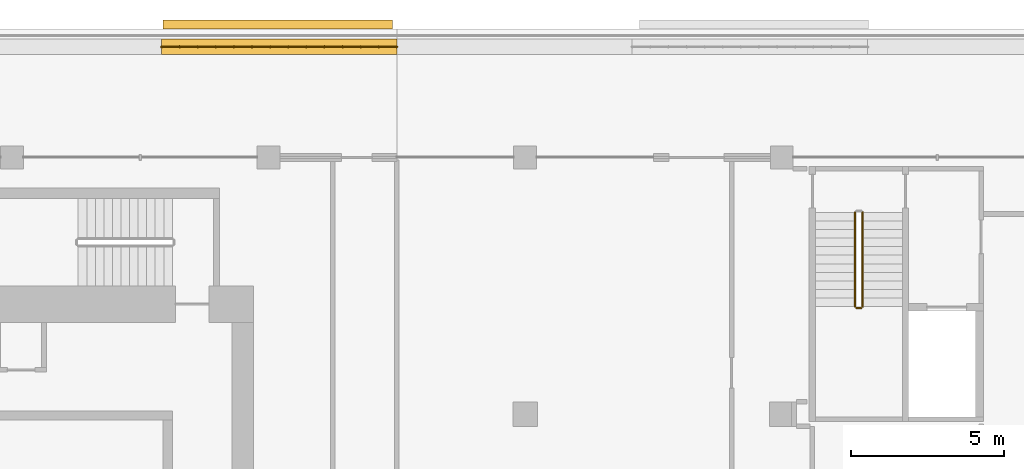
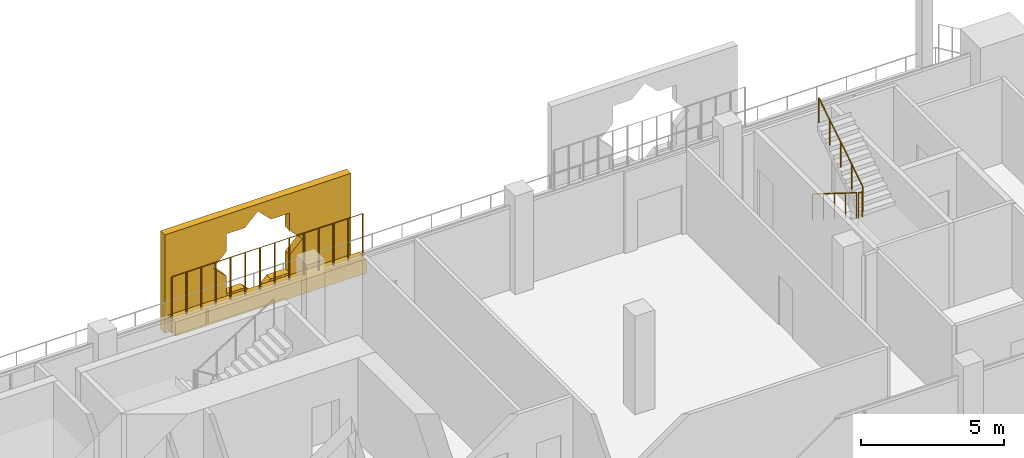
# One storey, part 20 of 22: 4 railings, 2 coverings.
"""IFC4 building model written with IfcOpenShell, lengths in metres."""

from ifc_helpers import new_model, si_unit, direction, frame, origin, origin_2d, place, context, subcontext, project, spatial, polyline, rectangle, circle, outline, extrude, material, material_profile, profile_set, type_object, element, save


model = new_model("IFC4")

# Units and contexts
model_context = context("Model", 3, precision=1e-05, world=origin(), true_north=direction((0.0, 1.0)))
body_context = subcontext(model_context, "Body", "Model", "MODEL_VIEW")
ifc_project = project(units=[si_unit("LENGTHUNIT", "METRE"), si_unit("AREAUNIT", "SQUARE_METRE"), si_unit("VOLUMEUNIT", "CUBIC_METRE"), si_unit("PLANEANGLEUNIT", "RADIAN"), si_unit("MASSUNIT", "GRAM", prefix="KILO")], contexts=[model_context])

# Site, building, storey
site_placement = place(None, origin())
site = spatial("IfcSite", under=ifc_project, at=site_placement, CompositionType="ELEMENT")
building_placement = place(site_placement, origin())
building = spatial("IfcBuilding", under=site, at=building_placement, Name="Kawkab Arch Medical Tower", CompositionType="ELEMENT")
storey_placement = place(building_placement, frame((0.0, 0.0, 286.0)))
storey = spatial("IfcBuildingStorey", under=building, at=storey_placement, Name="L66", CompositionType="ELEMENT", Elevation=286.0)

# Coverings
ifc_material_1 = material(Name="Bronze anodised aluminium mashrabiya panel, eight-point star pattern", Category="aluminium")
ifc_material_profile_1 = material_profile(ifc_material_1, outline(polyline([(-3.75, -2.10009765625), (3.75, -2.10009765625), (3.75, 2.10009765625), (-3.75, 2.10009765625), (-3.75, -2.10009765625)]), holes=[polyline([(1.800048828125, 0.0), (1.272705078125, 0.527099609375), (1.272705078125, 1.272705078125), (0.527099609375, 1.272705078125), (0.0, 1.800048828125), (-0.527099609375, 1.272705078125), (-1.272705078125, 1.272705078125), (-1.272705078125, 0.527099609375), (-1.800048828125, 0.0), (-1.272705078125, -0.527099609375), (-1.272705078125, -1.272705078125), (-0.527099609375, -1.272705078125), (0.0, -1.800048828125), (0.527099609375, -1.272705078125), (1.272705078125, -1.272705078125), (1.272705078125, -0.527099609375), (1.800048828125, 0.0)])]), Name="Mashrabiya panel 7500x4200")
ifc_profile_set_1 = profile_set([ifc_material_profile_1], Name="Bronze anodised aluminium mashrabiya panel, eight-point star pattern")
covering_type_1 = type_object("IfcCoveringType", Name="Mashrabiya panel 7500 x 4200", PredefinedType="USERDEFINED", material=ifc_profile_set_1)
covering_1_placement = place(storey_placement, frame((25.500732421875, 4.199951171875, 1.699951171875), z_axis=(0.0, 1.0, 0.0), x_axis=(-1.0, 0.0, 0.0)))
element("IfcCovering", 1, at=covering_1_placement, inside=storey, type_object=covering_type_1, Name="Mashrabiya panel L66.LOG-01-02.4", ObjectType="SCREEN", PredefinedType="USERDEFINED", context=body_context, shape_type="SweptSolid", body=[
    extrude(outline(polyline([(-3.75, -2.10009765625), (3.75, -2.10009765625), (3.75, 2.10009765625), (-3.75, 2.10009765625), (-3.75, -2.10009765625)]), holes=[polyline([(1.800048828125, 0.0), (1.272705078125, 0.527099609375), (1.272705078125, 1.272705078125), (0.527099609375, 1.272705078125), (0.0, 1.800048828125), (-0.527099609375, 1.272705078125), (-1.272705078125, 1.272705078125), (-1.272705078125, 0.527099609375), (-1.800048828125, 0.0), (-1.272705078125, -0.527099609375), (-1.272705078125, -1.272705078125), (-0.527099609375, -1.272705078125), (0.0, -1.800048828125), (0.527099609375, -1.272705078125), (1.272705078125, -1.272705078125), (1.272705078125, -0.527099609375), (1.800048828125, 0.0)])]), origin(), (0.0, 0.0, 1.0), 0.300048828125),
])
ifc_material_2 = material(Name="Planting soil in a precast trough", Category="concrete")
ifc_material_profile_2 = material_profile(ifc_material_2, rectangle(XDim=0.5, YDim=0.60009765625, at=origin_2d()), Name="Trough 500x600")
ifc_profile_set_2 = profile_set([ifc_material_profile_2], Name="Planting soil in a precast trough")
covering_type_2 = type_object("IfcCoveringType", Name="Planter trough 500 x 600", PredefinedType="USERDEFINED", material=ifc_profile_set_2)
covering_2_placement = place(storey_placement, frame((21.695068359375, 3.6201171875, 0.300048828125), z_axis=(1.0, 0.0, 0.0), x_axis=(0.0, 1.0, 0.0)))
element("IfcCovering", 2, at=covering_2_placement, inside=storey, type_object=covering_type_2, Name="Planter L66.LOG-01-02.15", ObjectType="PLANTER", PredefinedType="USERDEFINED", context=body_context, shape_type="SweptSolid", body=[
    extrude(rectangle(XDim=0.5, YDim=0.60009765625, at=origin_2d()), origin(), (0.0, 0.0, 1.0), 7.704833984375),
])

# Railings
ifc_material_3 = material(Name="Bronze anodised aluminium trellis for climbing plants", Category="aluminium")
railing_type_1 = type_object("IfcRailingType", Name="Planting trellis 2400", PredefinedType="USERDEFINED", material=ifc_material_3)
railing_1_placement = place(storey_placement, frame((21.695068359375, 3.6201171875, 0.0)))
element("IfcRailing", 3, at=railing_1_placement, inside=storey, type_object=railing_type_1, Name="Planting trellis L66.LOG-01-02.15", ObjectType="TRELLIS", PredefinedType="USERDEFINED", context=body_context, shape_type="SweptSolid", body=[
    extrude(circle(Radius=0.01513671875, at=origin_2d()), frame((0.0, 0.0, 2.384765625), z_axis=(1.0, 0.0, 0.0), x_axis=(0.0, 1.0, 0.0)), (0.0, 0.0, 1.0), 7.704833984375),
    extrude(circle(Radius=0.030029296875, at=origin_2d()), origin(), (0.0, 0.0, 1.0), 2.369873046875),
    extrude(circle(Radius=0.030029296875, at=origin_2d()), frame((0.5927734375, 0.0, 0.0)), (0.0, 0.0, 1.0), 2.369873046875),
    extrude(circle(Radius=0.030029296875, at=origin_2d()), frame((1.185302734375, 0.0, 0.0)), (0.0, 0.0, 1.0), 2.369873046875),
    extrude(circle(Radius=0.030029296875, at=origin_2d()), frame((1.778076171875, 0.0, 0.0)), (0.0, 0.0, 1.0), 2.369873046875),
    extrude(circle(Radius=0.030029296875, at=origin_2d()), frame((2.37060546875, 0.0, 0.0)), (0.0, 0.0, 1.0), 2.369873046875),
    extrude(circle(Radius=0.030029296875, at=origin_2d()), frame((2.96337890625, 0.0, 0.0)), (0.0, 0.0, 1.0), 2.369873046875),
    extrude(circle(Radius=0.030029296875, at=origin_2d()), frame((3.55615234375, 0.0, 0.0)), (0.0, 0.0, 1.0), 2.369873046875),
    extrude(circle(Radius=0.030029296875, at=origin_2d()), frame((4.148681640625, 0.0, 0.0)), (0.0, 0.0, 1.0), 2.369873046875),
    extrude(circle(Radius=0.030029296875, at=origin_2d()), frame((4.741455078125, 0.0, 0.0)), (0.0, 0.0, 1.0), 2.369873046875),
    extrude(circle(Radius=0.030029296875, at=origin_2d()), frame((5.334228515625, 0.0, 0.0)), (0.0, 0.0, 1.0), 2.369873046875),
    extrude(circle(Radius=0.030029296875, at=origin_2d()), frame((5.9267578125, 0.0, 0.0)), (0.0, 0.0, 1.0), 2.369873046875),
    extrude(circle(Radius=0.030029296875, at=origin_2d()), frame((6.51953125, 0.0, 0.0)), (0.0, 0.0, 1.0), 2.369873046875),
    extrude(circle(Radius=0.030029296875, at=origin_2d()), frame((7.112060546875, 0.0, 0.0)), (0.0, 0.0, 1.0), 2.369873046875),
    extrude(circle(Radius=0.030029296875, at=origin_2d()), frame((7.704833984375, 0.0, 0.0)), (0.0, 0.0, 1.0), 2.369873046875),
])
ifc_material_4 = material(Name="Stainless steel", Category="steel")
railing_type_2 = type_object("IfcRailingType", Name="Stair guard 1100", PredefinedType="GUARDRAIL", material=ifc_material_4)
railing_2_placement = place(storey_placement, frame((44.39990234375, -1.800048828125, 0.175048828125)))
element("IfcRailing", 4, at=railing_2_placement, inside=storey, type_object=railing_type_2, Name="L66 ST5 stair guard 1", PredefinedType="GUARDRAIL", context=body_context, shape_type="SweptSolid", body=[
    extrude(circle(Radius=0.02392578125, at=origin_2d()), frame((0.0, 0.0, 1.076171875), z_axis=(0.0, -0.847979421464, 0.530029150871), x_axis=(1.0, 0.0, 0.0)), (0.0, 0.0, 1.0), 3.632080078125),
    extrude(circle(Radius=0.02099609375, at=origin_2d()), origin(), (0.0, 0.0, 1.0), 1.052001953125),
    extrude(circle(Radius=0.02099609375, at=origin_2d()), frame((0.0, -0.77001953125, 0.481201171875)), (0.0, 0.0, 1.0), 1.052001953125),
    extrude(circle(Radius=0.02099609375, at=origin_2d()), frame((0.0, -1.5400390625, 0.96240234375)), (0.0, 0.0, 1.0), 1.052001953125),
    extrude(circle(Radius=0.02099609375, at=origin_2d()), frame((0.0, -2.309814453125, 1.44384765625)), (0.0, 0.0, 1.0), 1.052001953125),
    extrude(circle(Radius=0.02099609375, at=origin_2d()), frame((0.0, -3.079833984375, 1.925048828125)), (0.0, 0.0, 1.0), 1.052001953125),
])
railing_3_placement = place(storey_placement, frame((44.449951171875, -4.929931640625, 2.10009765625)))
element("IfcRailing", 5, at=railing_3_placement, inside=storey, type_object=railing_type_2, Name="L66 ST5 stair guard 2", PredefinedType="GUARDRAIL", context=body_context, shape_type="SweptSolid", body=[
    extrude(circle(Radius=0.02392578125, at=origin_2d()), frame((0.0, 0.0, 1.076171875), z_axis=(1.0, 0.0, 0.0), x_axis=(0.0, 1.0, 0.0)), (0.0, 0.0, 1.0), 0.150146484375),
    extrude(circle(Radius=0.02099609375, at=origin_2d()), origin(), (0.0, 0.0, 1.0), 1.052001953125),
    extrude(circle(Radius=0.02099609375, at=origin_2d()), frame((0.150146484375, 0.0, 0.0)), (0.0, 0.0, 1.0), 1.052001953125),
])
railing_4_placement = place(storey_placement, frame((44.64990234375, -4.8798828125, 2.27490234375)))
element("IfcRailing", 6, at=railing_4_placement, inside=storey, type_object=railing_type_2, Name="L66 ST5 stair guard 3", PredefinedType="GUARDRAIL", context=body_context, shape_type="SweptSolid", body=[
    extrude(circle(Radius=0.02392578125, at=origin_2d()), frame((0.0, 0.0, 1.076171875), z_axis=(0.0, 0.847979421464, 0.530029150871), x_axis=(-1.0, 0.0, 0.0)), (0.0, 0.0, 1.0), 3.632080078125),
    extrude(circle(Radius=0.02099609375, at=origin_2d()), origin(), (0.0, 0.0, 1.0), 1.052001953125),
    extrude(circle(Radius=0.02099609375, at=origin_2d()), frame((0.0, 0.77001953125, 0.481201171875)), (0.0, 0.0, 1.0), 1.052001953125),
    extrude(circle(Radius=0.02099609375, at=origin_2d()), frame((0.0, 1.5400390625, 0.96240234375)), (0.0, 0.0, 1.0), 1.052001953125),
    extrude(circle(Radius=0.02099609375, at=origin_2d()), frame((0.0, 2.309814453125, 1.44384765625)), (0.0, 0.0, 1.0), 1.052001953125),
    extrude(circle(Radius=0.02099609375, at=origin_2d()), frame((0.0, 3.079833984375, 1.925048828125)), (0.0, 0.0, 1.0), 1.052001953125),
])

save(model, "model.ifc")
